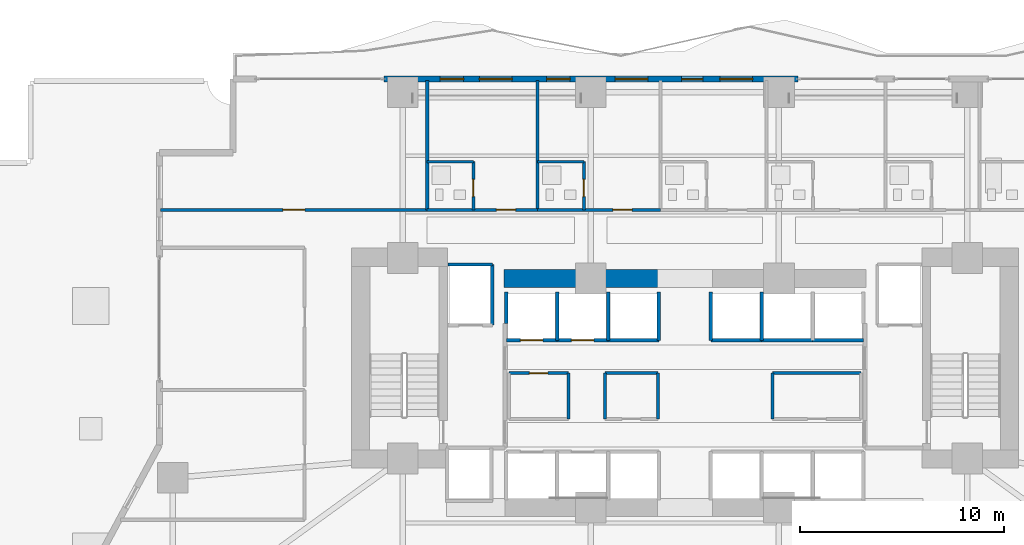
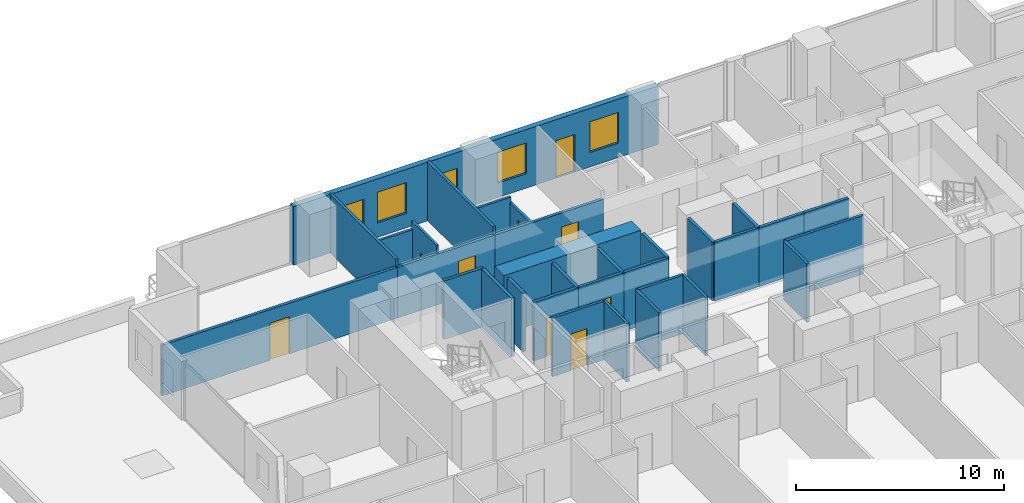
# One storey, part 23 of 30: 32 walls, 9 doors, 5 windows, 14 openings.
"""IFC4 building model written with IfcOpenShell, lengths in metres."""

from ifc_helpers import new_model, si_unit, direction, frame, frame_2d, origin, place, context, subcontext, project, spatial, rectangle, extrude, material, layer, layer_set, type_object, element, fill, save


model = new_model("IFC4")

# Units and contexts
model_context = context("Model", 3, precision=1e-05, world=origin(), true_north=direction((0.0, 1.0)))
body_context = subcontext(model_context, "Body", "Model", "MODEL_VIEW")
ifc_project = project(units=[si_unit("LENGTHUNIT", "METRE"), si_unit("AREAUNIT", "SQUARE_METRE"), si_unit("VOLUMEUNIT", "CUBIC_METRE"), si_unit("PLANEANGLEUNIT", "RADIAN"), si_unit("MASSUNIT", "GRAM", prefix="KILO")], contexts=[model_context])

# Site, building, storey
site_placement = place(None, origin())
site = spatial("IfcSite", under=ifc_project, at=site_placement, CompositionType="ELEMENT")
building_placement = place(site_placement, origin())
building = spatial("IfcBuilding", under=site, at=building_placement, Name="Zuhayl Quay Hotel", CompositionType="ELEMENT")
storey_placement = place(building_placement, frame((0.0, 0.0, 27.60009765625)))
storey = spatial("IfcBuildingStorey", under=building, at=storey_placement, Name="L05", CompositionType="ELEMENT", Elevation=27.60009765625)

# Wall
ifc_material_1 = material(Name="Concrete C70/85", Category="concrete")
ifc_layer_1 = layer(ifc_material_1, 0.89990234375, Name="Concrete C70/85", Category="concrete")
ifc_layer_set_1 = layer_set([ifc_layer_1], Name="Concrete C70/85")
wall_type_1 = type_object("IfcWallType", Name="WL_CORE_900", PredefinedType="SHEAR", material=ifc_layer_set_1)
wall_1_placement = place(storey_placement, frame((-8.85009765625, 13.35009765625, 0.0), z_axis=(0.0, 0.0, 1.0), x_axis=(1.0, 0.0, 0.0)))
element("IfcWall", 1, at=wall_1_placement, inside=storey, type_object=wall_type_1, Name="L05 Core Shear Wall CW_NC_W", PredefinedType="SHEAR", context=body_context, shape_type="SweptSolid", body=[
    extrude(rectangle(XDim=7.60009765625, YDim=0.89990234375, at=frame_2d((3.800048828125, 0.0))), origin(), (0.0, 0.0, 1.0), 3.429931640625),
])

# Wall, openings, door, windows
ifc_material_2 = material(Name="Precast concrete C45/55", Category="concrete")
ifc_layer_2 = layer(ifc_material_2, 0.300048828125, Name="Precast concrete C45/55", Category="concrete")
ifc_layer_set_2 = layer_set([ifc_layer_2], Name="Precast concrete C45/55")
wall_type_2 = type_object("IfcWallType", Name="WL_EXT_300", PredefinedType="STANDARD", material=ifc_layer_set_2)
wall_2_placement = place(storey_placement, frame((-14.719970703125, 23.10009765625, 0.0), z_axis=(0.0, 0.0, 1.0), x_axis=(1.0, 0.0, 0.0)))
wall_2 = element("IfcWall", 2, at=wall_2_placement, inside=storey, type_object=wall_type_2, Name="L05 Exterior Precast Wall ENV_L05_N_EW2", PredefinedType="STANDARD", context=body_context, shape_type="SweptSolid", body=[
    extrude(rectangle(XDim=20.239990234375, YDim=0.300048828125, at=frame_2d((10.1201171875, 0.0))), origin(), (0.0, 0.0, 1.0), 3.429931640625),
])
opening_1_placement = place(wall_2_placement, frame((14.554931640625, 0.0, 0.0)))
opening_1 = element("IfcOpeningElement", 3, at=opening_1_placement, cuts=wall_2, Name="Opening DG1", PredefinedType="OPENING", context=body_context, shape_type="SweptSolid", body=[
    extrude(rectangle(XDim=1.050048828125, YDim=2.199951171875, at=frame_2d((0.52490234375, 1.10009765625))), frame((0.0, 0.159912109375, 0.0), z_axis=(0.0, -1.0, 0.0), x_axis=(1.0, 0.0, 0.0)), (0.0, 0.0, 1.0), 0.320068359375),
])
opening_2_placement = place(wall_2_placement, frame((4.66796875, 0.0, 0.85009765625)))
opening_2 = element("IfcOpeningElement", 4, at=opening_2_placement, cuts=wall_2, Name="Opening W01", PredefinedType="OPENING", context=body_context, shape_type="SweptSolid", body=[
    extrude(rectangle(XDim=1.60009765625, YDim=1.800048828125, at=frame_2d((0.800048828125, 0.89990234375))), frame((0.0, 0.159912109375, 0.0), z_axis=(0.0, -1.0, 0.0), x_axis=(1.0, 0.0, 0.0)), (0.0, 0.0, 1.0), 0.320068359375),
])
opening_3_placement = place(wall_2_placement, frame((2.75390625, 0.0, 0.949951171875)))
opening_3 = element("IfcOpeningElement", 5, at=opening_3_placement, cuts=wall_2, Name="Opening W01N", PredefinedType="OPENING", context=body_context, shape_type="SweptSolid", body=[
    extrude(rectangle(XDim=1.14990234375, YDim=1.550048828125, at=frame_2d((0.574951171875, 0.77490234375))), frame((0.0, 0.159912109375, 0.0), z_axis=(0.0, -1.0, 0.0), x_axis=(1.0, 0.0, 0.0)), (0.0, 0.0, 1.0), 0.320068359375),
])
opening_4_placement = place(wall_2_placement, frame((7.955078125, 0.0, 0.949951171875)))
opening_4 = element("IfcOpeningElement", 6, at=opening_4_placement, cuts=wall_2, Name="Opening W01N", PredefinedType="OPENING", context=body_context, shape_type="SweptSolid", body=[
    extrude(rectangle(XDim=1.14990234375, YDim=1.550048828125, at=frame_2d((0.574951171875, 0.77490234375))), frame((0.0, 0.159912109375, 0.0), z_axis=(0.0, -1.0, 0.0), x_axis=(1.0, 0.0, 0.0)), (0.0, 0.0, 1.0), 0.320068359375),
])
opening_5_placement = place(wall_2_placement, frame((11.31005859375, 0.0, 0.85009765625)))
opening_5 = element("IfcOpeningElement", 7, at=opening_5_placement, cuts=wall_2, Name="Opening W01", PredefinedType="OPENING", context=body_context, shape_type="SweptSolid", body=[
    extrude(rectangle(XDim=1.60009765625, YDim=1.800048828125, at=frame_2d((0.800048828125, 0.89990234375))), frame((0.0, 0.159912109375, 0.0), z_axis=(0.0, -1.0, 0.0), x_axis=(1.0, 0.0, 0.0)), (0.0, 0.0, 1.0), 0.320068359375),
])
opening_6_placement = place(wall_2_placement, frame((16.427490234375, 0.0, 0.85009765625)))
opening_6 = element("IfcOpeningElement", 8, at=opening_6_placement, cuts=wall_2, Name="Opening W01", PredefinedType="OPENING", context=body_context, shape_type="SweptSolid", body=[
    extrude(rectangle(XDim=1.60009765625, YDim=1.800048828125, at=frame_2d((0.800048828125, 0.89990234375))), frame((0.0, 0.159912109375, 0.0), z_axis=(0.0, -1.0, 0.0), x_axis=(1.0, 0.0, 0.0)), (0.0, 0.0, 1.0), 0.320068359375),
])
ifc_material_3 = material(Name="Anodised Aluminium and Dark Solar Glass", Category="aluminium")
door_type_1 = type_object("IfcDoorType", Name="DR_EXT_TERR_1050", OperationType="NOTDEFINED", PredefinedType="DOOR", material=ifc_material_3)
door_1_placement = place(opening_1_placement, origin())
door_1 = element("IfcDoor", 9, at=door_1_placement, inside=storey, type_object=door_type_1, Name="L05 North Rippling Balcony Door", OperationType="SINGLE_SWING_LEFT", OverallHeight=2.199951171875, OverallWidth=1.050048828125, PredefinedType="DOOR", context=body_context, shape_type="SweptSolid", body=[
    extrude(rectangle(XDim=1.050048828125, YDim=2.199951171875, at=frame_2d((0.52490234375, 1.10009765625))), frame((0.0, 0.02490234375, 0.0), z_axis=(0.0, -1.0, 0.0), x_axis=(1.0, 0.0, 0.0)), (0.0, 0.0, 1.0), 0.050048828125),
])
fill(opening_1, door_1)
ifc_material_4 = material(Name="Dark Ceramic-Fritted Solar Glass", Category="glass")
window_type_1 = type_object("IfcWindowType", Name="WN_NOTCH_1350", PartitioningType="SINGLE_PANEL", PredefinedType="WINDOW", material=ifc_material_4)
window_1_placement = place(opening_3_placement, origin())
window_1 = element("IfcWindow", 10, at=window_1_placement, inside=storey, type_object=window_type_1, Name="L05 Operable Facade Window 2-1", OverallHeight=1.550048828125, OverallWidth=1.14990234375, PartitioningType="SINGLE_PANEL", PredefinedType="WINDOW", context=body_context, shape_type="SweptSolid", body=[
    extrude(rectangle(XDim=1.14990234375, YDim=1.550048828125, at=frame_2d((0.574951171875, 0.77490234375))), frame((0.0, 0.030029296875, 0.0), z_axis=(0.0, -1.0, 0.0), x_axis=(1.0, 0.0, 0.0)), (0.0, 0.0, 1.0), 0.06005859375),
])
fill(opening_3, window_1)
window_2_placement = place(opening_4_placement, origin())
window_2 = element("IfcWindow", 11, at=window_2_placement, inside=storey, type_object=window_type_1, Name="L05 Operable Facade Window 2-2", OverallHeight=1.550048828125, OverallWidth=1.14990234375, PartitioningType="SINGLE_PANEL", PredefinedType="WINDOW", context=body_context, shape_type="SweptSolid", body=[
    extrude(rectangle(XDim=1.14990234375, YDim=1.550048828125, at=frame_2d((0.574951171875, 0.77490234375))), frame((0.0, 0.030029296875, 0.0), z_axis=(0.0, -1.0, 0.0), x_axis=(1.0, 0.0, 0.0)), (0.0, 0.0, 1.0), 0.06005859375),
])
fill(opening_4, window_2)
window_type_2 = type_object("IfcWindowType", Name="WN_OPERABLE_1600", PartitioningType="DOUBLE_PANEL_VERTICAL", PredefinedType="WINDOW", material=ifc_material_4)
window_3_placement = place(opening_2_placement, origin())
window_3 = element("IfcWindow", 12, at=window_3_placement, inside=storey, type_object=window_type_2, Name="L05 North Operable Casement Window", OverallHeight=1.800048828125, OverallWidth=1.60009765625, PartitioningType="SINGLE_PANEL", PredefinedType="WINDOW", context=body_context, shape_type="SweptSolid", body=[
    extrude(rectangle(XDim=1.60009765625, YDim=1.800048828125, at=frame_2d((0.800048828125, 0.89990234375))), frame((0.0, 0.030029296875, 0.0), z_axis=(0.0, -1.0, 0.0), x_axis=(1.0, 0.0, 0.0)), (0.0, 0.0, 1.0), 0.06005859375),
])
fill(opening_2, window_3)
window_4_placement = place(opening_5_placement, origin())
window_4 = element("IfcWindow", 13, at=window_4_placement, inside=storey, type_object=window_type_2, Name="L05 Operable Facade Window 2-3", OverallHeight=1.800048828125, OverallWidth=1.60009765625, PartitioningType="SINGLE_PANEL", PredefinedType="WINDOW", context=body_context, shape_type="SweptSolid", body=[
    extrude(rectangle(XDim=1.60009765625, YDim=1.800048828125, at=frame_2d((0.800048828125, 0.89990234375))), frame((0.0, 0.030029296875, 0.0), z_axis=(0.0, -1.0, 0.0), x_axis=(1.0, 0.0, 0.0)), (0.0, 0.0, 1.0), 0.06005859375),
])
fill(opening_5, window_4)
window_5_placement = place(opening_6_placement, origin())
window_5 = element("IfcWindow", 14, at=window_5_placement, inside=storey, type_object=window_type_2, Name="L05 Operable Facade Window 2-4", OverallHeight=1.800048828125, OverallWidth=1.60009765625, PartitioningType="SINGLE_PANEL", PredefinedType="WINDOW", context=body_context, shape_type="SweptSolid", body=[
    extrude(rectangle(XDim=1.60009765625, YDim=1.800048828125, at=frame_2d((0.800048828125, 0.89990234375))), frame((0.0, 0.030029296875, 0.0), z_axis=(0.0, -1.0, 0.0), x_axis=(1.0, 0.0, 0.0)), (0.0, 0.0, 1.0), 0.06005859375),
])
fill(opening_6, window_5)

# Wall, opening, door
ifc_material_5 = material(Name="Acoustic Gypsum Partition STC-58")
ifc_layer_3 = layer(ifc_material_5, 0.14990234375, Name="Acoustic Gypsum Partition STC-58")
ifc_layer_set_3 = layer_set([ifc_layer_3], Name="Acoustic Gypsum Partition STC-58")
wall_type_3 = type_object("IfcWallType", Name="WL_PART_150", PredefinedType="PARTITIONING", material=ifc_layer_set_3)
wall_3_placement = place(storey_placement, frame((-8.610107421875, 8.719970703125, 0.0), z_axis=(0.0, 0.0, 1.0), x_axis=(1.0, 0.0, 0.0)))
wall_3 = element("IfcWall", 15, at=wall_3_placement, inside=storey, type_object=wall_type_3, Name="L05 Partition IW_L05_CORE_HK_N", PredefinedType="PARTITIONING", context=body_context, shape_type="SweptSolid", body=[
    extrude(rectangle(XDim=2.920166015625, YDim=0.14990234375, at=frame_2d((1.4599609375, 0.0))), origin(), (0.0, 0.0, 1.0), 3.429931640625),
])
opening_7_placement = place(wall_3_placement, frame((1.010009765625, 0.0, 0.0)))
opening_7 = element("IfcOpeningElement", 16, at=opening_7_placement, cuts=wall_3, Name="Opening D06", PredefinedType="OPENING", context=body_context, shape_type="SweptSolid", body=[
    extrude(rectangle(XDim=0.89990234375, YDim=2.14990234375, at=frame_2d((0.449951171875, 1.074951171875))), frame((0.0, 0.0849609375, 0.0), z_axis=(0.0, -1.0, 0.0), x_axis=(1.0, 0.0, 0.0)), (0.0, 0.0, 1.0), 0.169921875),
])
ifc_material_6 = material(Name="Steel ASTM A992 Grade 50", Category="steel")
door_type_2 = type_object("IfcDoorType", Name="DR_INT_900", OperationType="NOTDEFINED", PredefinedType="DOOR", material=ifc_material_6)
door_2_placement = place(opening_7_placement, origin())
door_2 = element("IfcDoor", 17, at=door_2_placement, inside=storey, type_object=door_type_2, Name="L05 Core Housekeeping Store Door", OperationType="SINGLE_SWING_LEFT", OverallHeight=2.14990234375, OverallWidth=0.89990234375, PredefinedType="DOOR", context=body_context, shape_type="SweptSolid", body=[
    extrude(rectangle(XDim=0.89990234375, YDim=2.14990234375, at=frame_2d((0.449951171875, 1.074951171875))), frame((0.0, 0.02490234375, 0.0), z_axis=(0.0, -1.0, 0.0), x_axis=(1.0, 0.0, 0.0)), (0.0, 0.0, 1.0), 0.050048828125),
])
fill(opening_7, door_2)

# Walls
wall_4_placement = place(storey_placement, frame((-5.68994140625, 6.47998046875, 0.0), z_axis=(0.0, 0.0, 1.0), x_axis=(0.0, 1.0, 0.0)))
element("IfcWall", 18, at=wall_4_placement, inside=storey, type_object=wall_type_3, Name="L05 Partition IW_L05_CORE_HK_E", PredefinedType="PARTITIONING", context=body_context, shape_type="SweptSolid", body=[
    extrude(rectangle(XDim=2.239990234375, YDim=0.14990234375, at=frame_2d((1.1201171875, 0.0))), origin(), (0.0, 0.0, 1.0), 3.429931640625),
])
wall_5_placement = place(storey_placement, frame((-3.909912109375, 8.719970703125, 0.0), z_axis=(0.0, 0.0, 1.0), x_axis=(1.0, 0.0, 0.0)))
element("IfcWall", 19, at=wall_5_placement, inside=storey, type_object=wall_type_3, Name="L05 Partition IW_L05_CORE_BC_N", PredefinedType="PARTITIONING", context=body_context, shape_type="SweptSolid", body=[
    extrude(rectangle(XDim=2.58984375, YDim=0.14990234375, at=frame_2d((1.294921875, 0.0))), origin(), (0.0, 0.0, 1.0), 3.429931640625),
])
for number, where, z_axis, x_axis, name in (
    (20, (-3.909912109375, 6.47998046875, 0.0), (0.0, 0.0, 1.0), (0.0, 1.0, 0.0), "L05 Partition IW_L05_CORE_BC_W"),
    (21, (-1.320068359375, 6.47998046875, 0.0), (0.0, 0.0, 1.0), (0.0, 1.0, 0.0), "L05 Partition IW_L05_CORE_BC_E"),
):
    element("IfcWall", number, at=place(storey_placement, frame(where, z_axis=z_axis, x_axis=x_axis)), inside=storey, type_object=wall_type_3, Name=name, PredefinedType="PARTITIONING", context=body_context, shape_type="SweptSolid", body=[
        extrude(rectangle(XDim=2.239990234375, YDim=0.14990234375, at=frame_2d((1.1201171875, 0.0))), origin(), (0.0, 0.0, 1.0), 3.429931640625),
    ])
wall_6_placement = place(storey_placement, frame((4.2900390625, 8.719970703125, 0.0), z_axis=(0.0, 0.0, 1.0), x_axis=(1.0, 0.0, 0.0)))
element("IfcWall", 22, at=wall_6_placement, inside=storey, type_object=wall_type_3, Name="L05 Partition IW_L05_CORE_VL_N", PredefinedType="PARTITIONING", context=body_context, shape_type="SweptSolid", body=[
    extrude(rectangle(XDim=4.320068359375, YDim=0.14990234375, at=frame_2d((2.16015625, 0.0))), origin(), (0.0, 0.0, 1.0), 3.429931640625),
])
wall_7_placement = place(storey_placement, frame((4.2900390625, 6.47998046875, 0.0), z_axis=(0.0, 0.0, 1.0), x_axis=(0.0, 1.0, 0.0)))
element("IfcWall", 23, at=wall_7_placement, inside=storey, type_object=wall_type_3, Name="L05 Partition IW_L05_CORE_VL_W", PredefinedType="PARTITIONING", context=body_context, shape_type="SweptSolid", body=[
    extrude(rectangle(XDim=2.239990234375, YDim=0.14990234375, at=frame_2d((1.1201171875, 0.0))), origin(), (0.0, 0.0, 1.0), 3.429931640625),
])
wall_8_placement = place(storey_placement, frame((-12.60009765625, 16.699951171875, 0.0), z_axis=(0.0, 0.0, 1.0), x_axis=(0.0, 1.0, 0.0)))
element("IfcWall", 24, at=wall_8_placement, inside=storey, type_object=wall_type_3, Name="L05 Partition IW_L05_NSAL_0_E", PredefinedType="PARTITIONING", context=body_context, shape_type="SweptSolid", body=[
    extrude(rectangle(XDim=6.340087890625, YDim=0.14990234375, at=frame_2d((3.169921875, 0.0))), origin(), (0.0, 0.0, 1.0), 3.429931640625),
])
wall_9_placement = place(storey_placement, frame((-7.199951171875, 16.699951171875, 0.0), z_axis=(0.0, 0.0, 1.0), x_axis=(0.0, 1.0, 0.0)))
element("IfcWall", 25, at=wall_9_placement, inside=storey, type_object=wall_type_3, Name="L05 Partition IW_L05_NU02_E", PredefinedType="PARTITIONING", context=body_context, shape_type="SweptSolid", body=[
    extrude(rectangle(XDim=6.320068359375, YDim=0.14990234375, at=frame_2d((3.16015625, 0.0))), origin(), (0.0, 0.0, 1.0), 3.429931640625),
])

# Wall, opening, door
ifc_layer_4 = layer(ifc_material_5, 0.159912109375, Name="Acoustic Gypsum Partition STC-58")
ifc_layer_set_4 = layer_set([ifc_layer_4], Name="Acoustic Gypsum Partition STC-58")
wall_type_4 = type_object("IfcWallType", Name="WL_PART_CORR_160", PredefinedType="PARTITIONING", material=ifc_layer_set_4)
wall_10_placement = place(storey_placement, frame((-25.639892578125, 16.699951171875, 0.0), z_axis=(0.0, 0.0, 1.0), x_axis=(1.0, 0.0, 0.0)))
wall_10 = element("IfcWall", 26, at=wall_10_placement, inside=storey, type_object=wall_type_4, Name="L05 Partition IW_L05_NSAL_0_S", PredefinedType="PARTITIONING", context=body_context, shape_type="SweptSolid", body=[
    extrude(rectangle(XDim=13.039794921875, YDim=0.159912109375, at=frame_2d((6.52001953125, 0.0))), origin(), (0.0, 0.0, 1.0), 2.972900390625),
])
opening_8_placement = place(wall_10_placement, frame((5.97998046875, 0.0, 0.0)))
opening_8 = element("IfcOpeningElement", 27, at=opening_8_placement, cuts=wall_10, Name="Opening D05A", PredefinedType="OPENING", context=body_context, shape_type="SweptSolid", body=[
    extrude(rectangle(XDim=1.080078125, YDim=2.179931640625, at=frame_2d((0.5400390625, 1.08984375))), frame((0.0, 0.08984375, 0.0), z_axis=(0.0, -1.0, 0.0), x_axis=(1.0, 0.0, 0.0)), (0.0, 0.0, 1.0), 0.179931640625),
])
ifc_material_7 = material(Name="Solid Walnut Acoustic Fire Door")
door_type_3 = type_object("IfcDoorType", Name="DR_INT_1100", OperationType="NOTDEFINED", PredefinedType="DOOR", material=ifc_material_7)
door_3_placement = place(opening_8_placement, origin())
door_3 = element("IfcDoor", 28, at=door_3_placement, inside=storey, type_object=door_type_3, Name="L05 Gulf Executive Lounge Door", OperationType="SINGLE_SWING_RIGHT", OverallHeight=2.179931640625, OverallWidth=1.080078125, PredefinedType="DOOR", context=body_context, shape_type="SweptSolid", body=[
    extrude(rectangle(XDim=1.080078125, YDim=2.179931640625, at=frame_2d((0.5400390625, 1.08984375))), frame((0.0, 0.02490234375, 0.0), z_axis=(0.0, -1.0, 0.0), x_axis=(1.0, 0.0, 0.0)), (0.0, 0.0, 1.0), 0.050048828125),
])
fill(opening_8, door_3)

wall_11_placement = place(storey_placement, frame((-12.60009765625, 16.699951171875, 0.0), z_axis=(0.0, 0.0, 1.0), x_axis=(1.0, 0.0, 0.0)))
wall_11 = element("IfcWall", 29, at=wall_11_placement, inside=storey, type_object=wall_type_4, Name="L05 Partition IW_L05_NU02_COR", PredefinedType="PARTITIONING", context=body_context, shape_type="SweptSolid", body=[
    extrude(rectangle(XDim=5.400146484375, YDim=0.159912109375, at=frame_2d((2.7001953125, 0.0))), origin(), (0.0, 0.0, 1.0), 2.972900390625),
])
opening_9_placement = place(wall_11_placement, frame((3.375, 0.0, 0.0)))
opening_9 = element("IfcOpeningElement", 30, at=opening_9_placement, cuts=wall_11, Name="Opening D03", PredefinedType="OPENING", context=body_context, shape_type="SweptSolid", body=[
    extrude(rectangle(XDim=0.949951171875, YDim=2.14990234375, at=frame_2d((0.47509765625, 1.074951171875))), frame((0.0, 0.08984375, 0.0), z_axis=(0.0, -1.0, 0.0), x_axis=(1.0, 0.0, 0.0)), (0.0, 0.0, 1.0), 0.179931640625),
])
door_type_4 = type_object("IfcDoorType", Name="DR_SUITE_950", OperationType="NOTDEFINED", PredefinedType="DOOR", material=ifc_material_7)
door_4_placement = place(opening_9_placement, origin())
door_4 = element("IfcDoor", 31, at=door_4_placement, inside=storey, type_object=door_type_4, Name="L05 Deluxe Gulf Guest Room L05-02 Entrance Door", OperationType="SINGLE_SWING_RIGHT", OverallHeight=2.14990234375, OverallWidth=0.949951171875, PredefinedType="DOOR", context=body_context, shape_type="SweptSolid", body=[
    extrude(rectangle(XDim=0.949951171875, YDim=2.14990234375, at=frame_2d((0.47509765625, 1.074951171875))), frame((0.0, 0.02490234375, 0.0), z_axis=(0.0, -1.0, 0.0), x_axis=(1.0, 0.0, 0.0)), (0.0, 0.0, 1.0), 0.050048828125),
])
fill(opening_9, door_4)

wall_12_placement = place(storey_placement, frame((-7.199951171875, 16.699951171875, 0.0), z_axis=(0.0, 0.0, 1.0), x_axis=(1.0, 0.0, 0.0)))
wall_12 = element("IfcWall", 32, at=wall_12_placement, inside=storey, type_object=wall_type_4, Name="L05 Partition IW_L05_NU03_COR", PredefinedType="PARTITIONING", context=body_context, shape_type="SweptSolid", body=[
    extrude(rectangle(XDim=6.0, YDim=0.159912109375, at=frame_2d((3.0, 0.0))), origin(), (0.0, 0.0, 1.0), 2.972900390625),
])
opening_10_placement = place(wall_12_placement, frame((3.675048828125, 0.0, 0.0)))
opening_10 = element("IfcOpeningElement", 33, at=opening_10_placement, cuts=wall_12, Name="Opening D03", PredefinedType="OPENING", context=body_context, shape_type="SweptSolid", body=[
    extrude(rectangle(XDim=0.949951171875, YDim=2.14990234375, at=frame_2d((0.47509765625, 1.074951171875))), frame((0.0, 0.08984375, 0.0), z_axis=(0.0, -1.0, 0.0), x_axis=(1.0, 0.0, 0.0)), (0.0, 0.0, 1.0), 0.179931640625),
])
door_5_placement = place(opening_10_placement, origin())
door_5 = element("IfcDoor", 34, at=door_5_placement, inside=storey, type_object=door_type_4, Name="L05 Deluxe Gulf Guest Room L05-03 Entrance Door", OperationType="SINGLE_SWING_RIGHT", OverallHeight=2.14990234375, OverallWidth=0.949951171875, PredefinedType="DOOR", context=body_context, shape_type="SweptSolid", body=[
    extrude(rectangle(XDim=0.949951171875, YDim=2.14990234375, at=frame_2d((0.47509765625, 1.074951171875))), frame((0.0, 0.02490234375, 0.0), z_axis=(0.0, -1.0, 0.0), x_axis=(1.0, 0.0, 0.0)), (0.0, 0.0, 1.0), 0.050048828125),
])
fill(opening_10, door_5)

ifc_material_8 = material(Name="Moisture-Resistant Sanitarychase Gypsum")
ifc_layer_5 = layer(ifc_material_8, 0.135009765625, Name="Moisture-Resistant Sanitarychase Gypsum")
ifc_layer_set_5 = layer_set([ifc_layer_5], Name="Moisture-Resistant Sanitarychase Gypsum")
wall_type_5 = type_object("IfcWallType", Name="WL_PART_PLUMB_150", PredefinedType="PLUMBINGWALL", material=ifc_layer_set_5)
wall_13_placement = place(storey_placement, frame((-10.340087890625, 16.699951171875, 0.0), z_axis=(0.0, 0.0, 1.0), x_axis=(0.0, 1.0, 0.0)))
wall_13 = element("IfcWall", 35, at=wall_13_placement, inside=storey, type_object=wall_type_5, Name="L05 Partition IW_L05_NU02_BE", PredefinedType="PLUMBINGWALL", context=body_context, shape_type="SweptSolid", body=[
    extrude(rectangle(XDim=2.360107421875, YDim=0.135009765625, at=frame_2d((1.18017578125, 0.0))), origin(), (0.0, 0.0, 1.0), 3.429931640625),
])
opening_11_placement = place(wall_13_placement, frame((0.64990234375, 0.0, 0.0)))
opening_11 = element("IfcOpeningElement", 36, at=opening_11_placement, cuts=wall_13, Name="Opening D04", PredefinedType="OPENING", context=body_context, shape_type="SweptSolid", body=[
    extrude(rectangle(XDim=0.85009765625, YDim=2.10009765625, at=frame_2d((0.425048828125, 1.050048828125))), frame((0.0, 0.077392578125, 0.0), z_axis=(0.0, -1.0, 0.0), x_axis=(1.0, 0.0, 0.0)), (0.0, 0.0, 1.0), 0.155029296875),
])
ifc_material_9 = material(Name="Moisture-Resistant Walnut Veneer")
door_type_5 = type_object("IfcDoorType", Name="DR_BATH_850", OperationType="NOTDEFINED", PredefinedType="DOOR", material=ifc_material_9)
door_6_placement = place(opening_11_placement, origin())
door_6 = element("IfcDoor", 37, at=door_6_placement, inside=storey, type_object=door_type_5, Name="L05 Deluxe Gulf Guest Room L05-02 En-Suite Door", OperationType="SINGLE_SWING_LEFT", OverallHeight=2.10009765625, OverallWidth=0.85009765625, PredefinedType="DOOR", context=body_context, shape_type="SweptSolid", body=[
    extrude(rectangle(XDim=0.85009765625, YDim=2.10009765625, at=frame_2d((0.425048828125, 1.050048828125))), frame((0.0, 0.02490234375, 0.0), z_axis=(0.0, -1.0, 0.0), x_axis=(1.0, 0.0, 0.0)), (0.0, 0.0, 1.0), 0.050048828125),
])
fill(opening_11, door_6)

wall_14_placement = place(storey_placement, frame((-4.93994140625, 16.699951171875, 0.0), z_axis=(0.0, 0.0, 1.0), x_axis=(0.0, 1.0, 0.0)))
wall_14 = element("IfcWall", 38, at=wall_14_placement, inside=storey, type_object=wall_type_5, Name="L05 Partition IW_L05_NU03_BE", PredefinedType="PLUMBINGWALL", context=body_context, shape_type="SweptSolid", body=[
    extrude(rectangle(XDim=2.360107421875, YDim=0.135009765625, at=frame_2d((1.18017578125, 0.0))), origin(), (0.0, 0.0, 1.0), 2.66796875),
])
opening_12_placement = place(wall_14_placement, frame((0.64990234375, 0.0, 0.0)))
opening_12 = element("IfcOpeningElement", 39, at=opening_12_placement, cuts=wall_14, Name="Opening D04", PredefinedType="OPENING", context=body_context, shape_type="SweptSolid", body=[
    extrude(rectangle(XDim=0.85009765625, YDim=2.10009765625, at=frame_2d((0.425048828125, 1.050048828125))), frame((0.0, 0.077392578125, 0.0), z_axis=(0.0, -1.0, 0.0), x_axis=(1.0, 0.0, 0.0)), (0.0, 0.0, 1.0), 0.155029296875),
])
door_7_placement = place(opening_12_placement, origin())
door_7 = element("IfcDoor", 40, at=door_7_placement, inside=storey, type_object=door_type_5, Name="L05 Deluxe Gulf Guest Room L05-03 En-Suite Door", OperationType="SINGLE_SWING_LEFT", OverallHeight=2.10009765625, OverallWidth=0.85009765625, PredefinedType="DOOR", context=body_context, shape_type="SweptSolid", body=[
    extrude(rectangle(XDim=0.85009765625, YDim=2.10009765625, at=frame_2d((0.425048828125, 1.050048828125))), frame((0.0, 0.02490234375, 0.0), z_axis=(0.0, -1.0, 0.0), x_axis=(1.0, 0.0, 0.0)), (0.0, 0.0, 1.0), 0.050048828125),
])
fill(opening_12, door_7)

# Walls
for number, where, z_axis, x_axis, name in (
    (41, (-12.60009765625, 19.06005859375, 0.0), (0.0, 0.0, 1.0), (1.0, 0.0, 0.0), "L05 Partition IW_L05_NU02_BN"),
    (42, (-7.199951171875, 19.06005859375, 0.0), (0.0, 0.0, 1.0), (1.0, 0.0, 0.0), "L05 Partition IW_L05_NU03_BN"),
):
    element("IfcWall", number, at=place(storey_placement, frame(where, z_axis=z_axis, x_axis=x_axis)), inside=storey, type_object=wall_type_5, Name=name, PredefinedType="PLUMBINGWALL", context=body_context, shape_type="SweptSolid", body=[
        extrude(rectangle(XDim=2.260009765625, YDim=0.135009765625, at=frame_2d((1.1298828125, 0.0))), origin(), (0.0, 0.0, 1.0), 2.972900390625),
    ])

# Wall, opening, door
ifc_material_10 = material(Name="Gypsum Fireboard Assembly EI-90")
ifc_layer_6 = layer(ifc_material_10, 0.1650390625, Name="Gypsum Fireboard Assembly EI-90")
ifc_layer_set_6 = layer_set([ifc_layer_6], Name="Gypsum Fireboard Assembly EI-90")
wall_type_6 = type_object("IfcWallType", Name="WL_PART_SHAFT_160", PredefinedType="PARTITIONING", material=ifc_layer_set_6)
wall_15_placement = place(storey_placement, frame((-8.72998046875, 10.320068359375, 0.0), z_axis=(0.0, 0.0, 1.0), x_axis=(1.0, 0.0, 0.0)))
wall_15 = element("IfcWall", 43, at=wall_15_placement, inside=storey, type_object=wall_type_6, Name="L05 Partition IW_L05_SH_LP3_F", PredefinedType="PARTITIONING", context=body_context, shape_type="SweptSolid", body=[
    extrude(rectangle(XDim=2.47998046875, YDim=0.1650390625, at=frame_2d((1.239990234375, 0.0))), origin(), (0.0, 0.0, 1.0), 3.429931640625),
])
opening_13_placement = place(wall_15_placement, frame((0.68994140625, 0.0, 0.0)))
opening_13 = element("IfcOpeningElement", 44, at=opening_13_placement, cuts=wall_15, Name="Opening LD1", PredefinedType="OPENING", context=body_context, shape_type="SweptSolid", body=[
    extrude(rectangle(XDim=1.10009765625, YDim=2.25, at=frame_2d((0.550048828125, 1.125))), frame((0.0, 0.092529296875, 0.0), z_axis=(0.0, -1.0, 0.0), x_axis=(1.0, 0.0, 0.0)), (0.0, 0.0, 1.0), 0.18505859375),
])
ifc_material_11 = material(Name="Brushed Stainless Steel", Category="steel")
door_type_6 = type_object("IfcDoorType", Name="DR_LIFT_PASS_1100", OperationType="SLIDING_TO_LEFT", PredefinedType="DOOR", material=ifc_material_11)
door_8_placement = place(opening_13_placement, origin())
door_8 = element("IfcDoor", 45, at=door_8_placement, inside=storey, type_object=door_type_6, Name="L05 Lift LP3 Sliding Landing Door", OperationType="SLIDING_TO_LEFT", OverallHeight=2.25, OverallWidth=1.10009765625, PredefinedType="DOOR", context=body_context, shape_type="SweptSolid", body=[
    extrude(rectangle(XDim=1.10009765625, YDim=2.25, at=frame_2d((0.550048828125, 1.125))), frame((0.0, 0.02490234375, 0.0), z_axis=(0.0, -1.0, 0.0), x_axis=(1.0, 0.0, 0.0)), (0.0, 0.0, 1.0), 0.050048828125),
])
fill(opening_13, door_8)

wall_16_placement = place(storey_placement, frame((-6.25, 10.320068359375, 0.0), z_axis=(0.0, 0.0, 1.0), x_axis=(1.0, 0.0, 0.0)))
wall_16 = element("IfcWall", 46, at=wall_16_placement, inside=storey, type_object=wall_type_6, Name="L05 Partition IW_L05_SH_LP4_F", PredefinedType="PARTITIONING", context=body_context, shape_type="SweptSolid", body=[
    extrude(rectangle(XDim=2.5, YDim=0.1650390625, at=frame_2d((1.25, 0.0))), origin(), (0.0, 0.0, 1.0), 3.429931640625),
])
opening_14_placement = place(wall_16_placement, frame((0.699951171875, 0.0, 0.0)))
opening_14 = element("IfcOpeningElement", 47, at=opening_14_placement, cuts=wall_16, Name="Opening LD1", PredefinedType="OPENING", context=body_context, shape_type="SweptSolid", body=[
    extrude(rectangle(XDim=1.10009765625, YDim=2.25, at=frame_2d((0.550048828125, 1.125))), frame((0.0, 0.092529296875, 0.0), z_axis=(0.0, -1.0, 0.0), x_axis=(1.0, 0.0, 0.0)), (0.0, 0.0, 1.0), 0.18505859375),
])
door_9_placement = place(opening_14_placement, origin())
door_9 = element("IfcDoor", 48, at=door_9_placement, inside=storey, type_object=door_type_6, Name="L05 Lift LP4 Sliding Landing Door", OperationType="SLIDING_TO_LEFT", OverallHeight=2.25, OverallWidth=1.10009765625, PredefinedType="DOOR", context=body_context, shape_type="SweptSolid", body=[
    extrude(rectangle(XDim=1.10009765625, YDim=2.25, at=frame_2d((0.550048828125, 1.125))), frame((0.0, 0.02490234375, 0.0), z_axis=(0.0, -1.0, 0.0), x_axis=(1.0, 0.0, 0.0)), (0.0, 0.0, 1.0), 0.050048828125),
])
fill(opening_14, door_9)

# Walls
wall_17_placement = place(storey_placement, frame((-9.419921875, 11.070068359375, 0.0), z_axis=(0.0, 0.0, 1.0), x_axis=(0.0, 1.0, 0.0)))
element("IfcWall", 49, at=wall_17_placement, inside=storey, type_object=wall_type_6, Name="L05 Partition IW_L05_SH_FL1_E", PredefinedType="PARTITIONING", context=body_context, shape_type="SweptSolid", body=[
    extrude(rectangle(XDim=2.9599609375, YDim=0.1650390625, at=frame_2d((1.47998046875, 0.0))), origin(), (0.0, 0.0, 1.0), 3.429931640625),
])
wall_18_placement = place(storey_placement, frame((-11.580078125, 14.030029296875, 0.0), z_axis=(0.0, 0.0, 1.0), x_axis=(1.0, 0.0, 0.0)))
element("IfcWall", 50, at=wall_18_placement, inside=storey, type_object=wall_type_6, Name="L05 Partition IW_L05_SH_FL1_B", PredefinedType="PARTITIONING", context=body_context, shape_type="SweptSolid", body=[
    extrude(rectangle(XDim=2.16015625, YDim=0.1650390625, at=frame_2d((1.080078125, 0.0))), origin(), (0.0, 0.0, 1.0), 3.429931640625),
])
wall_19_placement = place(storey_placement, frame((-8.72998046875, 11.14990234375, 0.0), z_axis=(0.0, 0.0, 1.0), x_axis=(0.0, 1.0, 0.0)))
element("IfcWall", 51, at=wall_19_placement, inside=storey, type_object=wall_type_6, Name="L05 Partition IW_L05_SH_LP3_W", PredefinedType="PARTITIONING", context=body_context, shape_type="SweptSolid", body=[
    extrude(rectangle(XDim=1.530029296875, YDim=0.1650390625, at=frame_2d((0.76513671875, 0.0))), origin(), (0.0, 0.0, 1.0), 3.429931640625),
])
for number, where, z_axis, x_axis, name in (
    (52, (-6.25, 10.320068359375, 0.0), (0.0, 0.0, 1.0), (0.0, 1.0, 0.0), "L05 Partition IW_L05_SH_LP3_E"),
    (53, (-3.75, 10.320068359375, 0.0), (0.0, 0.0, 1.0), (0.0, 1.0, 0.0), "L05 Partition IW_L05_SH_LP4_E"),
):
    element("IfcWall", number, at=place(storey_placement, frame(where, z_axis=z_axis, x_axis=x_axis)), inside=storey, type_object=wall_type_6, Name=name, PredefinedType="PARTITIONING", context=body_context, shape_type="SweptSolid", body=[
        extrude(rectangle(XDim=2.35986328125, YDim=0.1650390625, at=frame_2d((1.179931640625, 0.0))), origin(), (0.0, 0.0, 1.0), 3.429931640625),
    ])
wall_20_placement = place(storey_placement, frame((-3.75, 10.320068359375, 0.0), z_axis=(0.0, 0.0, 1.0), x_axis=(1.0, 0.0, 0.0)))
element("IfcWall", 54, at=wall_20_placement, inside=storey, type_object=wall_type_6, Name="L05 Partition IW_L05_SH_MP3_F", PredefinedType="PARTITIONING", context=body_context, shape_type="SweptSolid", body=[
    extrude(rectangle(XDim=2.47998046875, YDim=0.1650390625, at=frame_2d((1.239990234375, 0.0))), origin(), (0.0, 0.0, 1.0), 3.429931640625),
])
wall_21_placement = place(storey_placement, frame((-1.27001953125, 10.320068359375, 0.0), z_axis=(0.0, 0.0, 1.0), x_axis=(0.0, 1.0, 0.0)))
element("IfcWall", 55, at=wall_21_placement, inside=storey, type_object=wall_type_6, Name="L05 Partition IW_L05_SH_MP3_E", PredefinedType="PARTITIONING", context=body_context, shape_type="SweptSolid", body=[
    extrude(rectangle(XDim=2.35986328125, YDim=0.1650390625, at=frame_2d((1.179931640625, 0.0))), origin(), (0.0, 0.0, 1.0), 3.429931640625),
])
wall_22_placement = place(storey_placement, frame((1.27001953125, 10.320068359375, 0.0), z_axis=(0.0, 0.0, 1.0), x_axis=(1.0, 0.0, 0.0)))
element("IfcWall", 56, at=wall_22_placement, inside=storey, type_object=wall_type_6, Name="L05 Partition IW_L05_SH_MP4_F", PredefinedType="PARTITIONING", context=body_context, shape_type="SweptSolid", body=[
    extrude(rectangle(XDim=2.47998046875, YDim=0.1650390625, at=frame_2d((1.239990234375, 0.0))), origin(), (0.0, 0.0, 1.0), 3.429931640625),
])
for number, where, z_axis, x_axis, name in (
    (57, (1.27001953125, 10.320068359375, 0.0), (0.0, 0.0, 1.0), (0.0, 1.0, 0.0), "L05 Partition IW_L05_SH_MP4_W"),
    (58, (3.75, 10.320068359375, 0.0), (0.0, 0.0, 1.0), (0.0, 1.0, 0.0), "L05 Partition IW_L05_SH_MP4_E"),
):
    element("IfcWall", number, at=place(storey_placement, frame(where, z_axis=z_axis, x_axis=x_axis)), inside=storey, type_object=wall_type_6, Name=name, PredefinedType="PARTITIONING", context=body_context, shape_type="SweptSolid", body=[
        extrude(rectangle(XDim=2.35986328125, YDim=0.1650390625, at=frame_2d((1.179931640625, 0.0))), origin(), (0.0, 0.0, 1.0), 3.429931640625),
    ])
wall_23_placement = place(storey_placement, frame((3.75, 10.320068359375, 0.0), z_axis=(0.0, 0.0, 1.0), x_axis=(1.0, 0.0, 0.0)))
element("IfcWall", 59, at=wall_23_placement, inside=storey, type_object=wall_type_6, Name="L05 Partition IW_L05_SH_HP3_F", PredefinedType="PARTITIONING", context=body_context, shape_type="SweptSolid", body=[
    extrude(rectangle(XDim=2.5, YDim=0.1650390625, at=frame_2d((1.25, 0.0))), origin(), (0.0, 0.0, 1.0), 3.429931640625),
])
wall_24_placement = place(storey_placement, frame((6.25, 10.320068359375, 0.0), z_axis=(0.0, 0.0, 1.0), x_axis=(1.0, 0.0, 0.0)))
element("IfcWall", 60, at=wall_24_placement, inside=storey, type_object=wall_type_6, Name="L05 Partition IW_L05_SH_HP4_F", PredefinedType="PARTITIONING", context=body_context, shape_type="SweptSolid", body=[
    extrude(rectangle(XDim=2.47998046875, YDim=0.1650390625, at=frame_2d((1.239990234375, 0.0))), origin(), (0.0, 0.0, 1.0), 3.429931640625),
])

save(model, "model.ifc")
